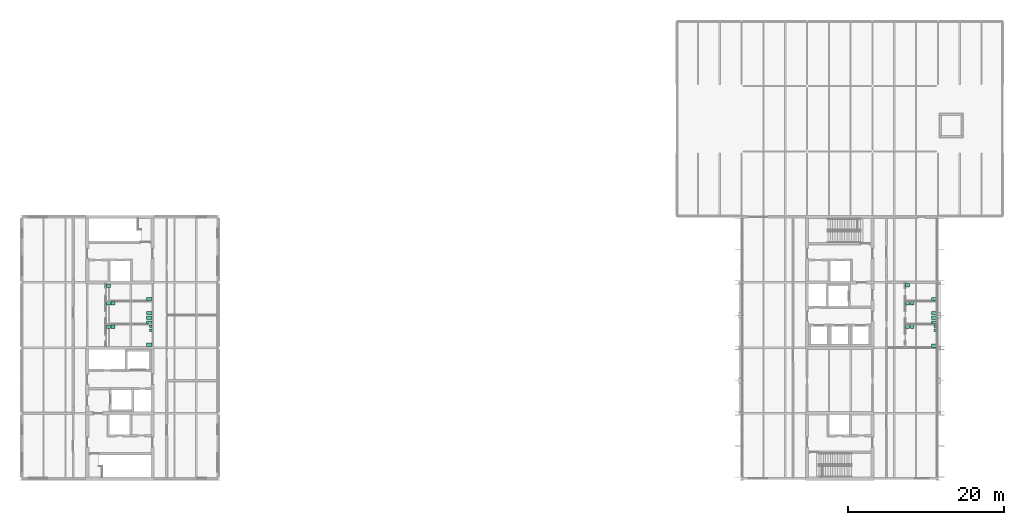
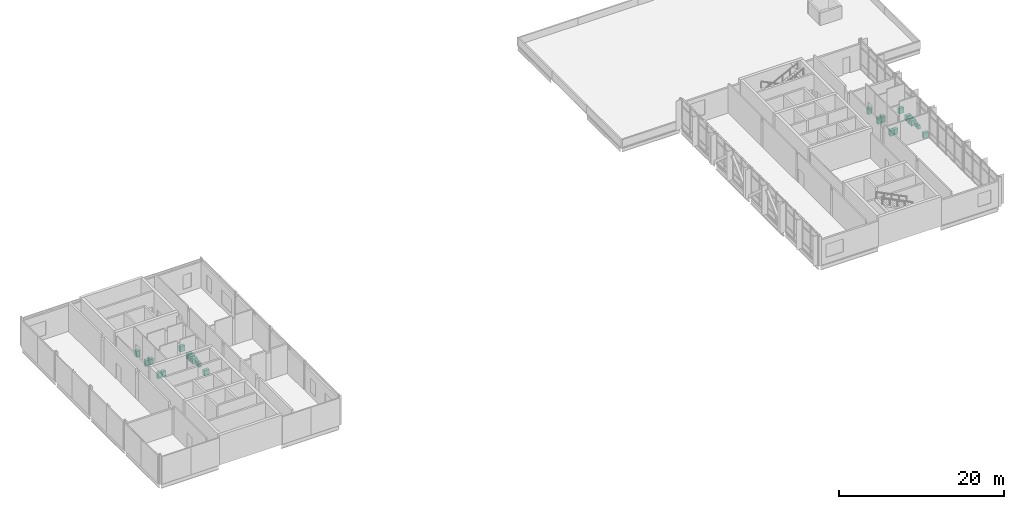
# One storey, part 26 of 26: 24 sanitary terminals.
"""IFC4 building model written with IfcOpenShell, lengths in metres."""

import ifcopenshell
import ifcopenshell.guid

model = None  # the IFC model being written
_history = None  # IfcOwnerHistory: only IFC2X3 demands one
_inside = {}  # id of a spatial element -> (the spatial element, [elements in it])
_under = {}  # id of a project, library or spatial element -> (it, [spatial elements below it])
_declared = {}  # id of a project -> (the project, [libraries it declares])
_typed = {}  # id of a type object -> (the type object, [elements of that type])
_made_of = {}  # id of a material, layer set ... -> (it, [elements and type objects made of it])


def new_model(schema):
    """Start an empty IFC model of exactly this schema.

    Asked for "IFC4X3", IfcOpenShell would pick the latest addendum, in which some entities
    have other attributes; the version numbers below select the first issue.
    IFC2X3 requires an IfcOwnerHistory on every rooted entity: one is made here for all.
    """
    global model, _history
    if schema == "IFC4X3":
        model = ifcopenshell.file(schema_version=(4, 3, 0, 0))
    else:
        model = ifcopenshell.file(schema=schema)
    _inside.clear()
    _under.clear()
    _declared.clear()
    _typed.clear()
    _made_of.clear()
    _history = None
    if model.schema == "IFC2X3":
        org = make("IfcOrganization", Name="unknown")
        user = make(
            "IfcPersonAndOrganization",
            ThePerson=make("IfcPerson", FamilyName="unknown"),
            TheOrganization=org,
        )
        app = make(
            "IfcApplication",
            ApplicationDeveloper=org,
            Version="unknown",
            ApplicationFullName="unknown",
            ApplicationIdentifier="unknown",
        )
        _history = make(
            "IfcOwnerHistory",
            OwningUser=user,
            OwningApplication=app,
            ChangeAction="ADDED",
            CreationDate=0,
        )
    return model


def make(cls, **values):
    """One entity of the class cls with the attributes given. An attribute that is None is left unset."""
    return model.create_entity(
        cls, **{name: value for name, value in values.items() if value is not None}
    )


def rooted(cls, **values):
    """An entity with a GlobalId (a new one), such as an element, a storey or a relation."""
    return make(cls, GlobalId=ifcopenshell.guid.new(), OwnerHistory=_history, **values)


def si_unit(unit_type, name, prefix=None):
    """IfcSIUnit, for example si_unit("LENGTHUNIT", "METRE", prefix="MILLI")."""
    return make("IfcSIUnit", UnitType=unit_type, Prefix=prefix, Name=name)


def assignment(units):
    """IfcUnitAssignment: the units of a project."""
    return None if units is None else make("IfcUnitAssignment", Units=units)


def point(xyz):
    """IfcCartesianPoint."""
    return None if xyz is None else make("IfcCartesianPoint", Coordinates=xyz)


def direction(xyz):
    """IfcDirection."""
    return None if xyz is None else make("IfcDirection", DirectionRatios=xyz)


def frame(location, z_axis=None, x_axis=None):
    """IfcAxis2Placement3D, a coordinate frame: its origin and axes. An axis left out is left unset."""
    return make(
        "IfcAxis2Placement3D",
        Location=point(location),
        Axis=direction(z_axis),
        RefDirection=direction(x_axis),
    )


def frame_2d(location, x_axis=None):
    """IfcAxis2Placement2D, a coordinate frame in the plane: its origin and x axis."""
    return make(
        "IfcAxis2Placement2D", Location=point(location), RefDirection=direction(x_axis)
    )


def origin():
    """The frame at (0, 0, 0) with its axes left unset."""
    return frame((0.0, 0.0, 0.0))


def origin_2d():
    """The frame at (0, 0) in the plane with its x axis left unset."""
    return frame_2d((0.0, 0.0))


def place(relative_to, where):
    """IfcLocalPlacement: puts the frame where relative to a parent placement (None: the world)."""
    return make(
        "IfcLocalPlacement", PlacementRelTo=relative_to, RelativePlacement=where
    )


def context(
    kind, dimensions, precision=None, world=None, true_north=None, identifier=None
):
    """IfcGeometricRepresentationContext, for example the 3D "Model" context."""
    return make(
        "IfcGeometricRepresentationContext",
        ContextIdentifier=identifier,
        ContextType=kind,
        CoordinateSpaceDimension=dimensions,
        Precision=precision,
        WorldCoordinateSystem=world,
        TrueNorth=true_north,
    )


def subcontext(parent, identifier, kind, view, scale=None):
    """IfcGeometricRepresentationSubContext, for example "Body" below "Model"."""
    return make(
        "IfcGeometricRepresentationSubContext",
        ContextIdentifier=identifier,
        ContextType=kind,
        ParentContext=parent,
        TargetScale=scale,
        TargetView=view,
    )


def project(units=None, contexts=None):
    """IfcProject with its units and contexts."""
    return rooted(
        "IfcProject",
        Name="project",
        RepresentationContexts=contexts,
        UnitsInContext=assignment(units),
    )


def spatial(cls, under=None, at=None, **own):
    """A site, building, storey or space (cls), placed at a placement, below another one or the project."""
    s = rooted(cls, ObjectPlacement=at, **own)
    if under is not None:
        _under.setdefault(under.id(), (under, []))[1].append(s)
    return s


def profile(cls, at=None, kind="AREA", **sizes):
    """A parametric profile (cls). Its sizes go by their IFC names, for example OverallWidth=200.0."""
    return make(cls, ProfileType=kind, Position=at, **sizes)


def rectangle(**sizes):
    """IfcRectangleProfileDef."""
    return profile("IfcRectangleProfileDef", **sizes)


def extrude(swept, where, along, depth):
    """IfcExtrudedAreaSolid: the profile swept, set in the frame where, extruded along a direction by depth."""
    return make(
        "IfcExtrudedAreaSolid",
        SweptArea=swept,
        Position=where,
        ExtrudedDirection=direction(along),
        Depth=depth,
    )


def shape(context_of_items, identifier, shape_type, items):
    """IfcShapeRepresentation: the items that make up one representation, for example the "Body"."""
    return make(
        "IfcShapeRepresentation",
        ContextOfItems=context_of_items,
        RepresentationIdentifier=identifier,
        RepresentationType=shape_type,
        Items=items,
    )


def made_of(thing, what):
    """Note that an element or type object is made of a material, layer set ...; save() writes the relation."""
    if what is not None:
        _made_of.setdefault(what.id(), (what, []))[1].append(thing)
    return thing


def element(
    cls,
    number,
    at=None,
    inside=None,
    cuts=None,
    type_object=None,
    material=None,
    context=None,
    identifier="Body",
    shape_type=None,
    held_by="IfcProductDefinitionShape",
    body=None,
    shapes=None,
    **own,
):
    """One element of the class cls, such as IfcWall. Its Tag is "e" and its number.

    at: its placement. inside: the storey or other place that contains it. cuts: it is an
    opening in that element (IfcRelVoidsElement). A single representation is given by context,
    identifier, shape_type and body (its items); several are given by shapes. held_by: the class
    of the entity that holds the representations. save() writes the other relations.
    """
    e = rooted(cls, Tag="e%d" % number, ObjectPlacement=at, **own)
    if body is not None:
        shapes = [shape(context, identifier, shape_type, body)]
    if shapes is not None:
        e.Representation = make(held_by, Representations=shapes)
    if inside is not None:
        _inside.setdefault(inside.id(), (inside, []))[1].append(e)
    if cuts is not None:
        rooted(
            "IfcRelVoidsElement", RelatingBuildingElement=cuts, RelatedOpeningElement=e
        )
    if type_object is not None:
        _typed.setdefault(type_object.id(), (type_object, []))[1].append(e)
    return made_of(e, material)


def aggregate(whole, parts):
    """IfcRelAggregates: a whole, such as a stair, and the parts it consists of."""
    return rooted("IfcRelAggregates", RelatingObject=whole, RelatedObjects=parts)


def save(model, path):
    """Write the relations noted so far, then the file.

    IfcRelAggregates (storeys below a building ...), IfcRelContainedInSpatialStructure (elements
    in a storey), IfcRelDefinesByType, IfcRelAssociatesMaterial and IfcRelDeclares: one each for
    every whole, place, type object, material and project.
    """
    for whole, parts in _under.values():
        aggregate(whole, parts)
    for where, things in _inside.values():
        rooted(
            "IfcRelContainedInSpatialStructure",
            RelatedElements=things,
            RelatingStructure=where,
        )
    for kind, things in _typed.values():
        rooted("IfcRelDefinesByType", RelatedObjects=things, RelatingType=kind)
    for what, things in _made_of.values():
        rooted("IfcRelAssociatesMaterial", RelatedObjects=things, RelatingMaterial=what)
    for by, libraries in _declared.values():
        rooted("IfcRelDeclares", RelatingContext=by, RelatedDefinitions=libraries)
    model.write(path)


model = new_model("IFC4")

# Units and contexts
model_context = context("Model", 3, precision=1e-05, world=origin(), true_north=direction((0.0, 1.0)))
body_context = subcontext(model_context, "Body", "Model", "MODEL_VIEW")
ifc_project = project(units=[si_unit("LENGTHUNIT", "METRE"), si_unit("AREAUNIT", "SQUARE_METRE"), si_unit("VOLUMEUNIT", "CUBIC_METRE"), si_unit("PLANEANGLEUNIT", "RADIAN"), si_unit("MASSUNIT", "GRAM", prefix="KILO")], contexts=[model_context])

# Site, building, storey
site_placement = place(None, origin())
site = spatial("IfcSite", under=ifc_project, at=site_placement, CompositionType="ELEMENT")
building_placement = place(site_placement, origin())
building = spatial("IfcBuilding", under=site, at=building_placement, Name="Hlaing Beacon Police Headquarters", CompositionType="ELEMENT")
storey_placement = place(building_placement, frame((0.0, 0.0, 23.39990234375)))
storey = spatial("IfcBuildingStorey", under=building, at=storey_placement, Name="L05", CompositionType="ELEMENT", Elevation=23.39990234375)

# Sanitary terminals
sanitary_terminal_1_placement = place(storey_placement, frame((125.5, 56.6630859375, 0.0), z_axis=(0.0, 0.0, 1.0), x_axis=(1.0, 0.0, 0.0)))
element("IfcSanitaryTerminal", 1, at=sanitary_terminal_1_placement, inside=storey, Name="Water closet", PredefinedType="TOILETPAN", context=body_context, shape_type="SweptSolid", body=[
    extrude(rectangle(XDim=0.699951171875, YDim=0.39990234375, at=origin_2d()), origin(), (0.0, 0.0, 1.0), 0.800048828125),
])
sanitary_terminal_2_placement = place(storey_placement, frame((122.112060546875, 58.449951171875, 0.0), z_axis=(0.0, 0.0, 1.0), x_axis=(1.0, 0.0, 0.0)))
element("IfcSanitaryTerminal", 2, at=sanitary_terminal_2_placement, inside=storey, Name="Wash basin", PredefinedType="WASHHANDBASIN", context=body_context, shape_type="SweptSolid", body=[
    extrude(rectangle(XDim=0.5, YDim=0.449951171875, at=origin_2d()), origin(), (0.0, 0.0, 1.0), 0.85009765625),
])
for number, where, z_axis, x_axis, name in (
    (3, (125.5, 53.662109375, 0.0), (0.0, 0.0, 1.0), (1.0, 0.0, 0.0), "Water closet"),
    (4, (125.5, 54.262939453125, 0.0), (0.0, 0.0, 1.0), (1.0, 0.0, 0.0), "Water closet"),
    (5, (125.5, 54.863037109375, 0.0), (0.0, 0.0, 1.0), (1.0, 0.0, 0.0), "Water closet"),
):
    element("IfcSanitaryTerminal", number, at=place(storey_placement, frame(where, z_axis=z_axis, x_axis=x_axis)), inside=storey, Name=name, PredefinedType="TOILETPAN", context=body_context, shape_type="SweptSolid", body=[
        extrude(rectangle(XDim=0.699951171875, YDim=0.39990234375, at=origin_2d()), origin(), (0.0, 0.0, 1.0), 0.800048828125),
    ])
for number, where, z_axis, x_axis, name in (
    (6, (122.112060546875, 56.112060546875, 0.0), (0.0, 0.0, 1.0), (1.0, 0.0, 0.0), "Wash basin"),
    (7, (122.7119140625, 56.112060546875, 0.0), (0.0, 0.0, 1.0), (1.0, 0.0, 0.0), "Wash basin"),
):
    element("IfcSanitaryTerminal", number, at=place(storey_placement, frame(where, z_axis=z_axis, x_axis=x_axis)), inside=storey, Name=name, PredefinedType="WASHHANDBASIN", context=body_context, shape_type="SweptSolid", body=[
        extrude(rectangle(XDim=0.5, YDim=0.449951171875, at=origin_2d()), origin(), (0.0, 0.0, 1.0), 0.85009765625),
    ])
sanitary_terminal_3_placement = place(storey_placement, frame((125.5, 50.6630859375, 0.0), z_axis=(0.0, 0.0, 1.0), x_axis=(1.0, 0.0, 0.0)))
element("IfcSanitaryTerminal", 8, at=sanitary_terminal_3_placement, inside=storey, Name="Water closet", PredefinedType="TOILETPAN", context=body_context, shape_type="SweptSolid", body=[
    extrude(rectangle(XDim=0.699951171875, YDim=0.39990234375, at=origin_2d()), origin(), (0.0, 0.0, 1.0), 0.800048828125),
])
for number, where, z_axis, x_axis, name in (
    (9, (125.675048828125, 53.162109375, 0.0), (0.0, 0.0, 1.0), (1.0, 0.0, 0.0), "Urinal"),
    (10, (125.675048828125, 52.6630859375, 0.0), (0.0, 0.0, 1.0), (1.0, 0.0, 0.0), "Urinal"),
):
    element("IfcSanitaryTerminal", number, at=place(storey_placement, frame(where, z_axis=z_axis, x_axis=x_axis)), inside=storey, Name=name, PredefinedType="URINAL", context=body_context, shape_type="SweptSolid", body=[
        extrude(rectangle(XDim=0.35009765625, YDim=0.35009765625, at=origin_2d()), origin(), (0.0, 0.0, 1.0), 0.60009765625),
    ])
for number, where, z_axis, x_axis, name in (
    (11, (122.112060546875, 53.112060546875, 0.0), (0.0, 0.0, 1.0), (1.0, 0.0, 0.0), "Wash basin"),
    (12, (122.7119140625, 53.112060546875, 0.0), (0.0, 0.0, 1.0), (1.0, 0.0, 0.0), "Wash basin"),
):
    element("IfcSanitaryTerminal", number, at=place(storey_placement, frame(where, z_axis=z_axis, x_axis=x_axis)), inside=storey, Name=name, PredefinedType="WASHHANDBASIN", context=body_context, shape_type="SweptSolid", body=[
        extrude(rectangle(XDim=0.5, YDim=0.449951171875, at=origin_2d()), origin(), (0.0, 0.0, 1.0), 0.85009765625),
    ])
sanitary_terminal_4_placement = place(storey_placement, frame((24.77490234375, 56.6630859375, 0.0), z_axis=(0.0, 0.0, 1.0), x_axis=(1.0, 0.0, 0.0)))
element("IfcSanitaryTerminal", 13, at=sanitary_terminal_4_placement, inside=storey, Name="Water closet", PredefinedType="TOILETPAN", context=body_context, shape_type="SweptSolid", body=[
    extrude(rectangle(XDim=0.699951171875, YDim=0.39990234375, at=origin_2d()), origin(), (0.0, 0.0, 1.0), 0.800048828125),
])
sanitary_terminal_5_placement = place(storey_placement, frame((19.511962890625, 58.375, 0.0), z_axis=(0.0, 0.0, 1.0), x_axis=(1.0, 0.0, 0.0)))
element("IfcSanitaryTerminal", 14, at=sanitary_terminal_5_placement, inside=storey, Name="Wash basin", PredefinedType="WASHHANDBASIN", context=body_context, shape_type="SweptSolid", body=[
    extrude(rectangle(XDim=0.5, YDim=0.449951171875, at=origin_2d()), origin(), (0.0, 0.0, 1.0), 0.85009765625),
])
for number, where, z_axis, x_axis, name in (
    (15, (24.77490234375, 53.6630859375, 0.0), (0.0, 0.0, 1.0), (1.0, 0.0, 0.0), "Water closet"),
    (16, (24.77490234375, 54.261962890625, 0.0), (0.0, 0.0, 1.0), (1.0, 0.0, 0.0), "Water closet"),
    (17, (24.77490234375, 54.863037109375, 0.0), (0.0, 0.0, 1.0), (1.0, 0.0, 0.0), "Water closet"),
):
    element("IfcSanitaryTerminal", number, at=place(storey_placement, frame(where, z_axis=z_axis, x_axis=x_axis)), inside=storey, Name=name, PredefinedType="TOILETPAN", context=body_context, shape_type="SweptSolid", body=[
        extrude(rectangle(XDim=0.699951171875, YDim=0.39990234375, at=origin_2d()), origin(), (0.0, 0.0, 1.0), 0.800048828125),
    ])
for number, where, z_axis, x_axis, name in (
    (18, (19.511962890625, 56.112060546875, 0.0), (0.0, 0.0, 1.0), (1.0, 0.0, 0.0), "Wash basin"),
    (19, (20.113037109375, 56.112060546875, 0.0), (0.0, 0.0, 1.0), (1.0, 0.0, 0.0), "Wash basin"),
):
    element("IfcSanitaryTerminal", number, at=place(storey_placement, frame(where, z_axis=z_axis, x_axis=x_axis)), inside=storey, Name=name, PredefinedType="WASHHANDBASIN", context=body_context, shape_type="SweptSolid", body=[
        extrude(rectangle(XDim=0.5, YDim=0.449951171875, at=origin_2d()), origin(), (0.0, 0.0, 1.0), 0.85009765625),
    ])
sanitary_terminal_6_placement = place(storey_placement, frame((24.77490234375, 50.800048828125, 0.0), z_axis=(0.0, 0.0, 1.0), x_axis=(1.0, 0.0, 0.0)))
element("IfcSanitaryTerminal", 20, at=sanitary_terminal_6_placement, inside=storey, Name="Water closet", PredefinedType="TOILETPAN", context=body_context, shape_type="SweptSolid", body=[
    extrude(rectangle(XDim=0.699951171875, YDim=0.39990234375, at=origin_2d()), origin(), (0.0, 0.0, 1.0), 0.800048828125),
])
for number, where, z_axis, x_axis, name in (
    (21, (24.949951171875, 53.162109375, 0.0), (0.0, 0.0, 1.0), (1.0, 0.0, 0.0), "Urinal"),
    (22, (24.949951171875, 52.662109375, 0.0), (0.0, 0.0, 1.0), (1.0, 0.0, 0.0), "Urinal"),
):
    element("IfcSanitaryTerminal", number, at=place(storey_placement, frame(where, z_axis=z_axis, x_axis=x_axis)), inside=storey, Name=name, PredefinedType="URINAL", context=body_context, shape_type="SweptSolid", body=[
        extrude(rectangle(XDim=0.35009765625, YDim=0.35009765625, at=origin_2d()), origin(), (0.0, 0.0, 1.0), 0.60009765625),
    ])
for number, where, z_axis, x_axis, name in (
    (23, (19.511962890625, 53.112060546875, 0.0), (0.0, 0.0, 1.0), (1.0, 0.0, 0.0), "Wash basin"),
    (24, (20.113037109375, 53.112060546875, 0.0), (0.0, 0.0, 1.0), (1.0, 0.0, 0.0), "Wash basin"),
):
    element("IfcSanitaryTerminal", number, at=place(storey_placement, frame(where, z_axis=z_axis, x_axis=x_axis)), inside=storey, Name=name, PredefinedType="WASHHANDBASIN", context=body_context, shape_type="SweptSolid", body=[
        extrude(rectangle(XDim=0.5, YDim=0.449951171875, at=origin_2d()), origin(), (0.0, 0.0, 1.0), 0.85009765625),
    ])

save(model, "model.ifc")
